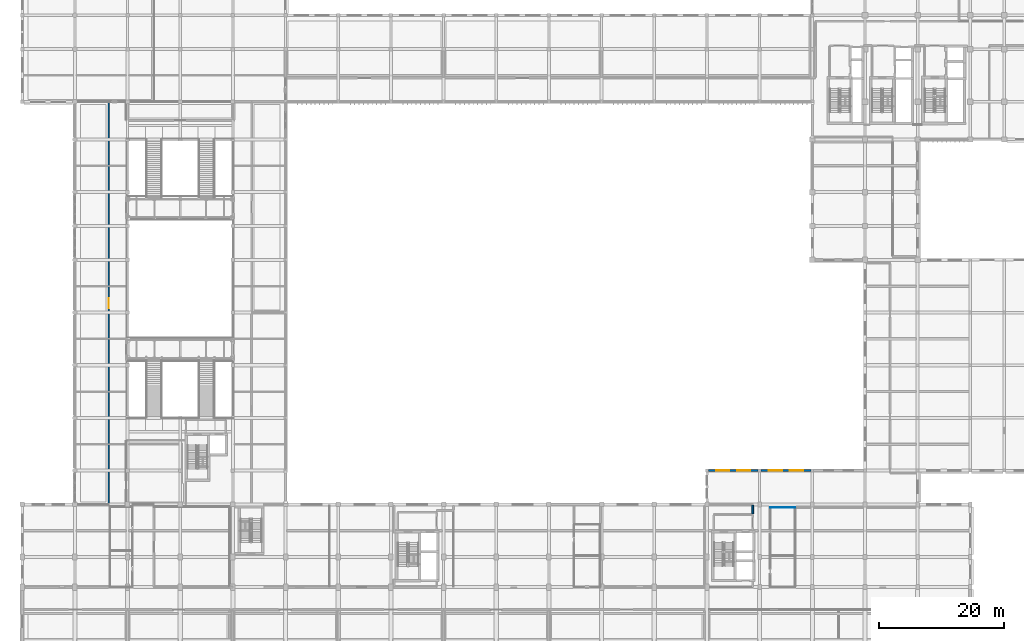
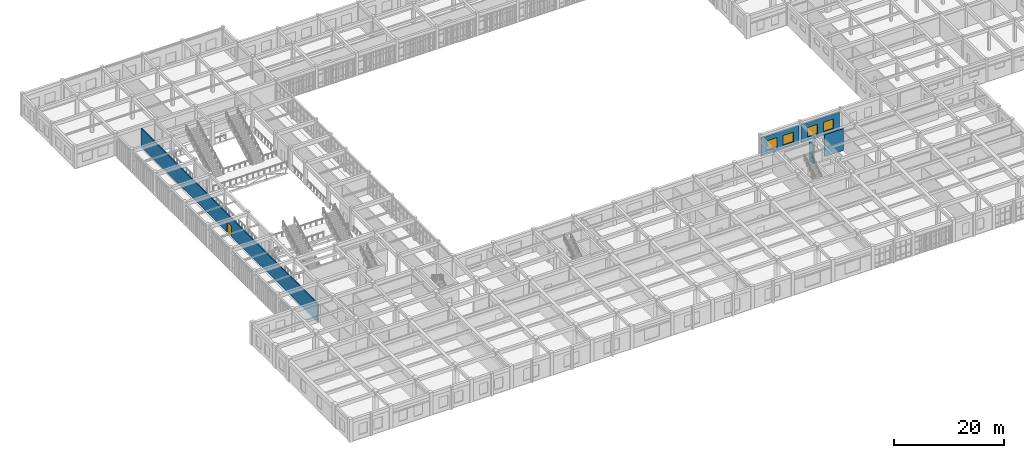
# One storey, part 89 of 106: 5 walls, 4 windows, 1 door, 5 openings.
"""IFC4 building model written with IfcOpenShell, lengths in metres."""

from ifc_helpers import new_model, si_unit, direction, frame, frame_2d, origin, place, context, subcontext, project, spatial, rectangle, extrude, material, layer, layer_set, type_object, element, fill, save


model = new_model("IFC4")

# Units and contexts
model_context = context("Model", 3, precision=1e-05, world=origin(), true_north=direction((0.0, 1.0)))
body_context = subcontext(model_context, "Body", "Model", "MODEL_VIEW")
ifc_project = project(units=[si_unit("LENGTHUNIT", "METRE"), si_unit("AREAUNIT", "SQUARE_METRE"), si_unit("VOLUMEUNIT", "CUBIC_METRE"), si_unit("PLANEANGLEUNIT", "RADIAN"), si_unit("MASSUNIT", "GRAM", prefix="KILO")], contexts=[model_context])

# Site, building, storey
site_placement = place(None, origin())
site = spatial("IfcSite", under=ifc_project, at=site_placement, CompositionType="ELEMENT")
building_placement = place(site_placement, origin())
building = spatial("IfcBuilding", under=site, at=building_placement, Name="Krzemoval Escarpment Law Courts", CompositionType="ELEMENT")
storey_placement = place(building_placement, frame((0.0, 0.0, 5.10009765625)))
storey = spatial("IfcBuildingStorey", under=building, at=storey_placement, Name="L01", CompositionType="ELEMENT", Elevation=5.10009765625)

# Wall, openings, windows
ifc_material_1 = material(Name="Precast concrete C40/50", Category="concrete")
ifc_layer_1 = layer(ifc_material_1, 0.300048828125)
ifc_layer_set_1 = layer_set([ifc_layer_1], Name="Precast concrete C40/50")
wall_type_1 = type_object("IfcWallType", Name="WL-EXT-300", PredefinedType="SOLIDWALL", material=ifc_layer_set_1)
wall_1_placement = place(storey_placement, frame((109.425048828125, 40.800048828125, 0.0), z_axis=(0.0, 0.0, 1.0), x_axis=(1.0, 0.0, 0.0)))
wall_1 = element("IfcWall", 1, at=wall_1_placement, inside=storey, type_object=wall_type_1, Name="Exterior Wall EW-L01-0246", PredefinedType="SOLIDWALL", context=body_context, shape_type="SweptSolid", body=[
    extrude(rectangle(XDim=7.949951171875, YDim=0.300048828125, at=frame_2d((3.97509765625, 0.0))), origin(), (0.0, 0.0, 1.0), 4.06982421875),
])
opening_1_placement = place(wall_1_placement, frame((1.25, 0.0, 0.89990234375)))
opening_1 = element("IfcOpeningElement", 2, at=opening_1_placement, cuts=wall_1, Name="Opening WN-L01-0255", PredefinedType="OPENING", context=body_context, shape_type="SweptSolid", body=[
    extrude(rectangle(XDim=2.10009765625, YDim=2.10009765625, at=frame_2d((1.050048828125, 1.050048828125))), frame((0.0, 0.16502, 0.0), z_axis=(0.0, -1.0, 0.0), x_axis=(1.0, 0.0, 0.0)), (0.0, 0.0, 1.0), 0.33005),
])
opening_2_placement = place(wall_1_placement, frame((4.60009765625, 0.0, 0.89990234375)))
opening_2 = element("IfcOpeningElement", 3, at=opening_2_placement, cuts=wall_1, Name="Opening WN-L01-0256", PredefinedType="OPENING", context=body_context, shape_type="SweptSolid", body=[
    extrude(rectangle(XDim=2.10009765625, YDim=2.10009765625, at=frame_2d((1.050048828125, 1.050048828125))), frame((0.0, 0.16502, 0.0), z_axis=(0.0, -1.0, 0.0), x_axis=(1.0, 0.0, 0.0)), (0.0, 0.0, 1.0), 0.33005),
])
ifc_material_2 = material(Name="Thermally Broken Aluminium Frame with Triple Low-E Acoustic Glass", Category="aluminium")
window_type = type_object("IfcWindowType", Name="WN-2100x2100", PartitioningType="SINGLE_PANEL", PredefinedType="WINDOW", material=ifc_material_2)
window_1_placement = place(opening_1_placement, origin())
window_1 = element("IfcWindow", 4, at=window_1_placement, inside=storey, type_object=window_type, Name="Facade Window WN-L01-0255", OverallHeight=2.10009765625, OverallWidth=2.10009765625, PartitioningType="SINGLE_PANEL", PredefinedType="WINDOW", context=body_context, shape_type="SweptSolid", body=[
    extrude(rectangle(XDim=2.10009765625, YDim=2.10009765625, at=frame_2d((1.050048828125, 1.050048828125))), frame((0.0, 0.030029296875, 0.0), z_axis=(0.0, -1.0, 0.0), x_axis=(1.0, 0.0, 0.0)), (0.0, 0.0, 1.0), 0.06005859375),
])
fill(opening_1, window_1)
window_2_placement = place(opening_2_placement, origin())
window_2 = element("IfcWindow", 5, at=window_2_placement, inside=storey, type_object=window_type, Name="Facade Window WN-L01-0256", OverallHeight=2.10009765625, OverallWidth=2.10009765625, PartitioningType="SINGLE_PANEL", PredefinedType="WINDOW", context=body_context, shape_type="SweptSolid", body=[
    extrude(rectangle(XDim=2.10009765625, YDim=2.10009765625, at=frame_2d((1.050048828125, 1.050048828125))), frame((0.0, 0.030029296875, 0.0), z_axis=(0.0, -1.0, 0.0), x_axis=(1.0, 0.0, 0.0)), (0.0, 0.0, 1.0), 0.06005859375),
])
fill(opening_2, window_2)

wall_2_placement = place(storey_placement, frame((117.824951171875, 40.800048828125, 0.0), z_axis=(0.0, 0.0, 1.0), x_axis=(1.0, 0.0, 0.0)))
wall_2 = element("IfcWall", 6, at=wall_2_placement, inside=storey, type_object=wall_type_1, Name="Exterior Wall EW-L01-0247", PredefinedType="SOLIDWALL", context=body_context, shape_type="SweptSolid", body=[
    extrude(rectangle(XDim=7.949951171875, YDim=0.300048828125, at=frame_2d((3.97509765625, 0.0))), origin(), (0.0, 0.0, 1.0), 4.06982421875),
])
opening_3_placement = place(wall_2_placement, frame((1.25, 0.0, 0.89990234375)))
opening_3 = element("IfcOpeningElement", 7, at=opening_3_placement, cuts=wall_2, Name="Opening WN-L01-0257", PredefinedType="OPENING", context=body_context, shape_type="SweptSolid", body=[
    extrude(rectangle(XDim=2.10009765625, YDim=2.10009765625, at=frame_2d((1.050048828125, 1.050048828125))), frame((0.0, 0.16502, 0.0), z_axis=(0.0, -1.0, 0.0), x_axis=(1.0, 0.0, 0.0)), (0.0, 0.0, 1.0), 0.33005),
])
opening_4_placement = place(wall_2_placement, frame((4.60009765625, 0.0, 0.89990234375)))
opening_4 = element("IfcOpeningElement", 8, at=opening_4_placement, cuts=wall_2, Name="Opening WN-L01-0258", PredefinedType="OPENING", context=body_context, shape_type="SweptSolid", body=[
    extrude(rectangle(XDim=2.10009765625, YDim=2.10009765625, at=frame_2d((1.050048828125, 1.050048828125))), frame((0.0, 0.16502, 0.0), z_axis=(0.0, -1.0, 0.0), x_axis=(1.0, 0.0, 0.0)), (0.0, 0.0, 1.0), 0.33005),
])
window_3_placement = place(opening_3_placement, origin())
window_3 = element("IfcWindow", 9, at=window_3_placement, inside=storey, type_object=window_type, Name="Facade Window WN-L01-0257", OverallHeight=2.10009765625, OverallWidth=2.10009765625, PartitioningType="SINGLE_PANEL", PredefinedType="WINDOW", context=body_context, shape_type="SweptSolid", body=[
    extrude(rectangle(XDim=2.10009765625, YDim=2.10009765625, at=frame_2d((1.050048828125, 1.050048828125))), frame((0.0, 0.030029296875, 0.0), z_axis=(0.0, -1.0, 0.0), x_axis=(1.0, 0.0, 0.0)), (0.0, 0.0, 1.0), 0.06005859375),
])
fill(opening_3, window_3)
window_4_placement = place(opening_4_placement, origin())
window_4 = element("IfcWindow", 10, at=window_4_placement, inside=storey, type_object=window_type, Name="Facade Window WN-L01-0258", OverallHeight=2.10009765625, OverallWidth=2.10009765625, PartitioningType="SINGLE_PANEL", PredefinedType="WINDOW", context=body_context, shape_type="SweptSolid", body=[
    extrude(rectangle(XDim=2.10009765625, YDim=2.10009765625, at=frame_2d((1.050048828125, 1.050048828125))), frame((0.0, 0.030029296875, 0.0), z_axis=(0.0, -1.0, 0.0), x_axis=(1.0, 0.0, 0.0)), (0.0, 0.0, 1.0), 0.06005859375),
])
fill(opening_4, window_4)

# Wall
ifc_material_3 = material(Name="Sanitary Moisture-Resistant Partition", Category="gypsum")
ifc_layer_2 = layer(ifc_material_3, 0.139892578125)
ifc_layer_set_2 = layer_set([ifc_layer_2], Name="Sanitary Moisture-Resistant Partition")
wall_type_2 = type_object("IfcWallType", Name="WL-PRT-140", PredefinedType="PARTITIONING", material=ifc_layer_set_2)
wall_3_placement = place(storey_placement, frame((119.300048828125, 34.89990234375, 0.0), z_axis=(0.0, 0.0, 1.0), x_axis=(1.0, 0.0, 0.0)))
element("IfcWall", 11, at=wall_3_placement, inside=storey, type_object=wall_type_2, Name="Interior Partition PW-L01-0253", PredefinedType="PARTITIONING", context=body_context, shape_type="SweptSolid", body=[
    extrude(rectangle(XDim=4.0, YDim=0.139892578125, at=frame_2d((2.0, 0.0))), origin(), (0.0, 0.0, 1.0), 4.81982421875),
])

# Wall, opening, door
ifc_material_4 = material(Name="Solid Calcium-Silicate Custody Blockwork Partition", Category="masonry")
ifc_layer_3 = layer(ifc_material_4, 0.219970703125)
ifc_layer_set_3 = layer_set([ifc_layer_3], Name="Solid Calcium-Silicate Custody Blockwork Partition")
wall_type_3 = type_object("IfcWallType", Name="WL-PRT-220", PredefinedType="PARTITIONING", material=ifc_layer_set_3)
wall_4_placement = place(storey_placement, frame((13.800048828125, 35.465087890625, 0.0), z_axis=(0.0, 0.0, 1.0), x_axis=(0.0, 1.0, 0.0)))
wall_4 = element("IfcWall", 12, at=wall_4_placement, inside=storey, type_object=wall_type_3, Name="Interior Partition PW-L01-0296", PredefinedType="PARTITIONING", context=body_context, shape_type="SweptSolid", body=[
    extrude(rectangle(XDim=64.057861328125, YDim=0.219970703125, at=frame_2d((32.02880859375, 0.0))), origin(), (0.0, 0.0, 1.0), 4.06982421875),
])
opening_5_placement = place(wall_4_placement, frame((31.22900390625, 0.0, 0.0)))
opening_5 = element("IfcOpeningElement", 13, at=opening_5_placement, cuts=wall_4, Name="Opening D-L01-0107", PredefinedType="OPENING", context=body_context, shape_type="SweptSolid", body=[
    extrude(rectangle(XDim=1.60009765625, YDim=2.300048828125, at=frame_2d((0.800048828125, 1.14990234375))), frame((0.0, 0.12499, 0.0), z_axis=(0.0, -1.0, 0.0), x_axis=(1.0, 0.0, 0.0)), (0.0, 0.0, 1.0), 0.24997),
])
ifc_material_5 = material(Name="Engineered Solid-Core Oak Acoustic Timber", Category="wood")
door_type = type_object("IfcDoorType", Name="DR-CRT-1600x2300", OperationType="SINGLE_SWING_LEFT", PredefinedType="DOOR", material=ifc_material_5)
door_placement = place(opening_5_placement, origin())
door = element("IfcDoor", 14, at=door_placement, inside=storey, type_object=door_type, Name="Room Door D-L01-0107", OperationType="SINGLE_SWING_LEFT", OverallHeight=2.300048828125, OverallWidth=1.60009765625, PredefinedType="DOOR", context=body_context, shape_type="SweptSolid", body=[
    extrude(rectangle(XDim=1.60009765625, YDim=2.300048828125, at=frame_2d((0.800048828125, 1.14990234375))), frame((0.0, 0.02490234375, 0.0), z_axis=(0.0, -1.0, 0.0), x_axis=(1.0, 0.0, 0.0)), (0.0, 0.0, 1.0), 0.050048828125),
])
fill(opening_5, door)

# Wall
ifc_material_6 = material(Name="Acoustic Double-Stud Gypsum and Mineral Wool Wall", Category="gypsum")
ifc_layer_4 = layer(ifc_material_6, 0.260009765625)
ifc_layer_set_4 = layer_set([ifc_layer_4], Name="Acoustic Double-Stud Gypsum and Mineral Wool Wall")
wall_type_4 = type_object("IfcWallType", Name="WL-PRT-260", PredefinedType="PARTITIONING", material=ifc_layer_set_4)
wall_5_placement = place(storey_placement, frame((116.5, 33.902099609375, 0.0), z_axis=(0.0, 0.0, 1.0), x_axis=(0.0, 1.0, 0.0)))
element("IfcWall", 15, at=wall_5_placement, inside=storey, type_object=wall_type_4, Name="Interior Partition PW-L01-0342", PredefinedType="PARTITIONING", context=body_context, shape_type="SweptSolid", body=[
    extrude(rectangle(XDim=1.39599609375, YDim=0.260009765625, at=frame_2d((0.697998046875, 0.0))), origin(), (0.0, 0.0, 1.0), 4.06982421875),
])

save(model, "model.ifc")
